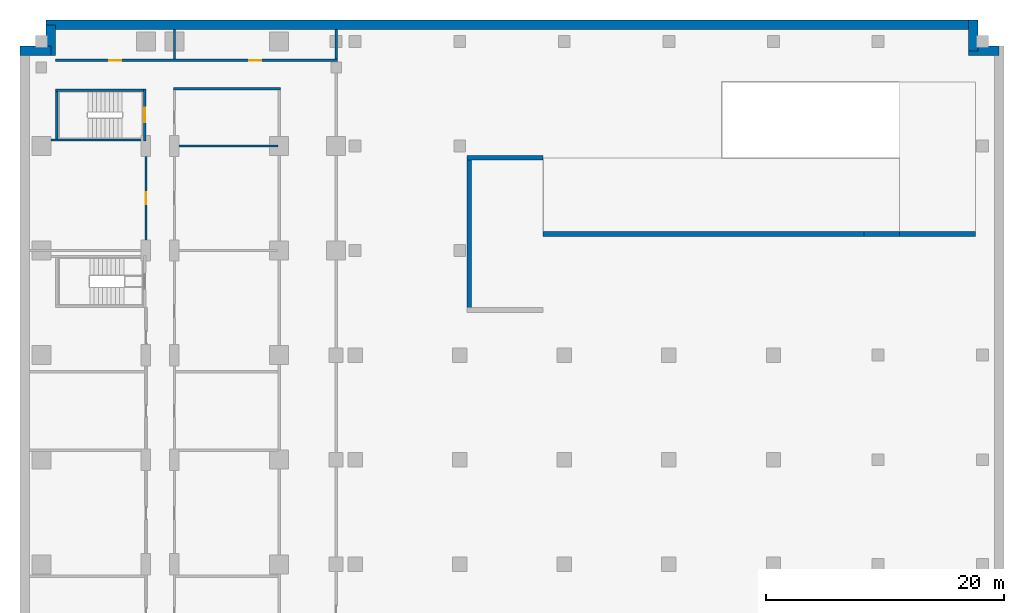
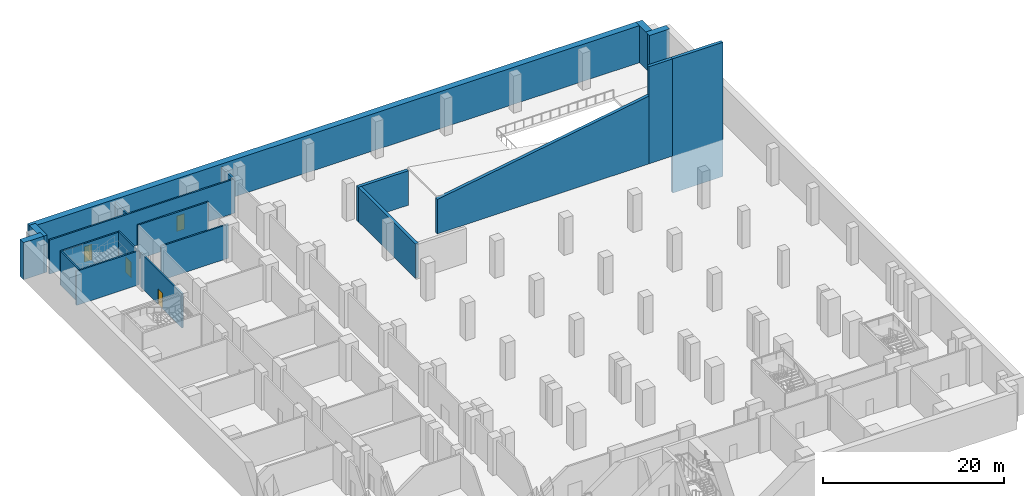
# One storey, part 7 of 12: 20 walls, 4 doors, 4 openings.
"""IFC4 building model written with IfcOpenShell, lengths in metres."""

from ifc_helpers import new_model, si_unit, direction, frame, frame_2d, origin, place, context, subcontext, project, spatial, polyline, rectangle, outline, extrude, material, layer, layer_set, type_object, element, fill, save


model = new_model("IFC4")

# Units and contexts
model_context = context("Model", 3, precision=1e-05, world=origin(), true_north=direction((0.0, 1.0)))
body_context = subcontext(model_context, "Body", "Model", "MODEL_VIEW")
ifc_project = project(units=[si_unit("LENGTHUNIT", "METRE"), si_unit("AREAUNIT", "SQUARE_METRE"), si_unit("VOLUMEUNIT", "CUBIC_METRE"), si_unit("PLANEANGLEUNIT", "RADIAN"), si_unit("MASSUNIT", "GRAM", prefix="KILO")], contexts=[model_context])

# Site, building, storey
site_placement = place(None, origin())
site = spatial("IfcSite", under=ifc_project, at=site_placement, CompositionType="ELEMENT")
building_placement = place(site_placement, origin())
building = spatial("IfcBuilding", under=site, at=building_placement, Name="Kemantara Hotel Tower", CompositionType="ELEMENT")
storey_placement = place(building_placement, frame((0.0, 0.0, -12.0)))
storey = spatial("IfcBuildingStorey", under=building, at=storey_placement, Name="B2", CompositionType="ELEMENT", Elevation=-12.0)

# Walls
ifc_material_1 = material(Name="Concrete fc 40 MPa", Category="concrete")
ifc_layer_1 = layer(ifc_material_1, 0.800048828125)
ifc_layer_set_1 = layer_set([ifc_layer_1], Name="Concrete fc 40 MPa")
wall_type_1 = type_object("IfcWallType", Name="BASEMENT PERIMETER WALL 800 FC40", PredefinedType="SHEAR", material=ifc_layer_set_1)
for number, where, z_axis, x_axis, name in (
    (1, (-0.800048828125, 79.39990234375, 0.0), (0.0, 0.0, 1.0), (1.0, 0.0, 0.0), "BASEMENT PERIMETER WALL B2 8"),
    (2, (1.800048828125, 79.0, 0.0), (0.0, 0.0, 1.0), (0.0, 1.0, 0.0), "BASEMENT PERIMETER WALL B2 9"),
):
    element("IfcWall", number, at=place(storey_placement, frame(where, z_axis=z_axis, x_axis=x_axis)), inside=storey, type_object=wall_type_1, Name=name, PredefinedType="SHEAR", context=body_context, shape_type="SweptSolid", body=[
        extrude(rectangle(XDim=2.60009765625, YDim=0.800048828125, at=frame_2d((1.300048828125, 0.0))), origin(), (0.0, 0.0, 1.0), 5.0),
    ])
wall_1_placement = place(storey_placement, frame((1.39990234375, 81.60009765625, 0.0), z_axis=(0.0, 0.0, 1.0), x_axis=(1.0, 0.0, 0.0)))
element("IfcWall", 3, at=wall_1_placement, inside=storey, type_object=wall_type_1, Name="BASEMENT PERIMETER WALL B2 10", PredefinedType="SHEAR", context=body_context, shape_type="SweptSolid", body=[
    extrude(rectangle(XDim=78.0, YDim=0.800048828125, at=frame_2d((39.0, 0.0))), origin(), (0.0, 0.0, 1.0), 5.0),
])
for number, where, z_axis, x_axis, name in (
    (4, (79.39990234375, 82.0, 0.0), (0.0, 0.0, 1.0), (0.0, -1.0, 0.0), "BASEMENT PERIMETER WALL B2 11"),
    (5, (79.0, 79.39990234375, 0.0), (0.0, 0.0, 1.0), (1.0, 0.0, 0.0), "BASEMENT PERIMETER WALL B2 12"),
):
    element("IfcWall", number, at=place(storey_placement, frame(where, z_axis=z_axis, x_axis=x_axis)), inside=storey, type_object=wall_type_1, Name=name, PredefinedType="SHEAR", context=body_context, shape_type="SweptSolid", body=[
        extrude(rectangle(XDim=2.60009765625, YDim=0.800048828125, at=frame_2d((1.300048828125, 0.0))), origin(), (0.0, 0.0, 1.0), 5.0),
    ])

# Wall, opening, door
ifc_layer_2 = layer(ifc_material_1, 0.199951171875)
ifc_layer_set_2 = layer_set([ifc_layer_2], Name="Concrete fc 40 MPa")
wall_type_2 = type_object("IfcWallType", Name="Concrete stair wall 200 mm", PredefinedType="SHEAR", material=ifc_layer_set_2)
wall_2_placement = place(storey_placement, frame((9.699951171875, 71.800048828125, 0.0), z_axis=(0.0, 0.0, 1.0), x_axis=(0.0, 1.0, 0.0)))
wall_2 = element("IfcWall", 6, at=wall_2_placement, inside=storey, type_object=wall_type_2, Name="Stair ST6 enclosure wall with door", PredefinedType="SHEAR", context=body_context, shape_type="SweptSolid", body=[
    extrude(rectangle(XDim=4.39990234375, YDim=0.199951171875, at=frame_2d((2.199951171875, 0.0))), origin(), (0.0, 0.0, 1.0), 4.597900390625),
])
opening_1_placement = place(wall_2_placement, frame((1.60009765625, 0.0, 0.0)))
opening_1 = element("IfcOpeningElement", 7, at=opening_1_placement, cuts=wall_2, Name="Opening ST6-C", PredefinedType="OPENING", context=body_context, shape_type="SweptSolid", body=[
    extrude(rectangle(XDim=1.199951171875, YDim=2.10009765625, at=frame_2d((0.60009765625, 1.050048828125))), frame((0.0, 0.10986328125, 0.0), z_axis=(0.0, -1.0, 0.0), x_axis=(1.0, 0.0, 0.0)), (0.0, 0.0, 1.0), 0.219970703125),
])
ifc_material_2 = material(Name="Steel fire door", Category="steel")
door_type_1 = type_object("IfcDoorType", Name="Fire door FD90 1200 x 2100", OperationType="NOTDEFINED", PredefinedType="DOOR", material=ifc_material_2)
door_1_placement = place(opening_1_placement, origin())
door_1 = element("IfcDoor", 8, at=door_1_placement, inside=storey, type_object=door_type_1, Name="Stair ST6 door", OperationType="SINGLE_SWING_RIGHT", OverallHeight=2.10009765625, OverallWidth=1.199951171875, PredefinedType="DOOR", context=body_context, shape_type="SweptSolid", body=[
    extrude(rectangle(XDim=1.199951171875, YDim=2.10009765625, at=frame_2d((0.60009765625, 1.050048828125))), frame((0.0, 0.02490234375, 0.0), z_axis=(0.0, -1.0, 0.0), x_axis=(1.0, 0.0, 0.0)), (0.0, 0.0, 1.0), 0.050048828125),
])
fill(opening_1, door_1)

# Walls
wall_3_placement = place(storey_placement, frame((2.199951171875, 76.10009765625, 0.0), z_axis=(0.0, 0.0, 1.0), x_axis=(1.0, 0.0, 0.0)))
element("IfcWall", 9, at=wall_3_placement, inside=storey, type_object=wall_type_2, Name="Stair ST6 enclosure wall N", PredefinedType="SHEAR", context=body_context, shape_type="SweptSolid", body=[
    extrude(rectangle(XDim=7.400146484375, YDim=0.199951171875, at=frame_2d((3.7001953125, 0.0))), origin(), (0.0, 0.0, 1.0), 4.597900390625),
])
wall_4_placement = place(storey_placement, frame((1.800048828125, 71.89990234375, 0.0), z_axis=(0.0, 0.0, 1.0), x_axis=(1.0, 0.0, 0.0)))
element("IfcWall", 10, at=wall_4_placement, inside=storey, type_object=wall_type_2, Name="Stair ST6 enclosure wall S", PredefinedType="SHEAR", context=body_context, shape_type="SweptSolid", body=[
    extrude(rectangle(XDim=7.800048828125, YDim=0.199951171875, at=frame_2d((3.89990234375, 0.0))), origin(), (0.0, 0.0, 1.0), 4.597900390625),
])
wall_5_placement = place(storey_placement, frame((2.300048828125, 72.0, 0.0), z_axis=(0.0, 0.0, 1.0), x_axis=(0.0, 1.0, 0.0)))
element("IfcWall", 11, at=wall_5_placement, inside=storey, type_object=wall_type_2, Name="Stair ST6 enclosure wall W", PredefinedType="SHEAR", context=body_context, shape_type="SweptSolid", body=[
    extrude(rectangle(XDim=4.0, YDim=0.199951171875, at=frame_2d((2.0, 0.0))), origin(), (0.0, 0.0, 1.0), 4.597900390625),
])
ifc_material_3 = material(Name="Fire-rated gypsum board partition")
ifc_layer_3 = layer(ifc_material_3, 0.199951171875)
ifc_layer_set_3 = layer_set([ifc_layer_3], Name="Fire-rated gypsum board partition")
wall_type_3 = type_object("IfcWallType", Name="FIRE-RATED GYPSUM PARTITION 200 EI 60", PredefinedType="PARTITIONING", material=ifc_layer_set_3)
wall_6_placement = place(storey_placement, frame((12.10009765625, 76.199951171875, 0.0), z_axis=(0.0, 0.0, 1.0), x_axis=(1.0, 0.0, 0.0)))
element("IfcWall", 12, at=wall_6_placement, inside=storey, type_object=wall_type_3, Name="FIRE-RATED PARTITION", PredefinedType="PARTITIONING", context=body_context, shape_type="SweptSolid", body=[
    extrude(rectangle(XDim=9.0, YDim=0.199951171875, at=frame_2d((4.5, 0.0))), origin(), (0.0, 0.0, 1.0), 4.597900390625),
])

# Wall, openings, doors
wall_7_placement = place(storey_placement, frame((2.199951171875, 78.60009765625, 0.0), z_axis=(0.0, 0.0, 1.0), x_axis=(1.0, 0.0, 0.0)))
wall_7 = element("IfcWall", 13, at=wall_7_placement, inside=storey, type_object=wall_type_3, Name="FIRE-RATED PARTITION", PredefinedType="PARTITIONING", context=body_context, shape_type="SweptSolid", body=[
    extrude(rectangle(XDim=23.699951171875, YDim=0.199951171875, at=frame_2d((11.85009765625, 0.0))), origin(), (0.0, 0.0, 1.0), 4.597900390625),
])
opening_2_placement = place(wall_7_placement, frame((4.5, 0.0, 0.0)))
opening_2 = element("IfcOpeningElement", 14, at=opening_2_placement, cuts=wall_7, Name="Opening B2-B021", PredefinedType="OPENING", context=body_context, shape_type="SweptSolid", body=[
    extrude(rectangle(XDim=1.0, YDim=2.10009765625, at=frame_2d((0.5, 1.050048828125))), frame((0.0, 0.10986328125, 0.0), z_axis=(0.0, -1.0, 0.0), x_axis=(1.0, 0.0, 0.0)), (0.0, 0.0, 1.0), 0.219970703125),
])
opening_3_placement = place(wall_7_placement, frame((16.300048828125, 0.0, 0.0)))
opening_3 = element("IfcOpeningElement", 15, at=opening_3_placement, cuts=wall_7, Name="Opening B2-B022", PredefinedType="OPENING", context=body_context, shape_type="SweptSolid", body=[
    extrude(rectangle(XDim=1.0, YDim=2.10009765625, at=frame_2d((0.5, 1.050048828125))), frame((0.0, 0.10986328125, 0.0), z_axis=(0.0, -1.0, 0.0), x_axis=(1.0, 0.0, 0.0)), (0.0, 0.0, 1.0), 0.219970703125),
])
ifc_material_4 = material(Name="Timber veneer door leaf", Category="wood")
door_type_2 = type_object("IfcDoorType", Name="SINGLE LEAF TIMBER DOOR 1000 X 2100", OperationType="SINGLE_SWING_LEFT", PredefinedType="DOOR", material=ifc_material_4)
door_2_placement = place(opening_2_placement, frame((1.0, 0.0, 0.0), z_axis=(0.0, 0.0, 1.0), x_axis=(-1.0, 0.0, 0.0)))
door_2 = element("IfcDoor", 16, at=door_2_placement, inside=storey, type_object=door_type_2, Name="SINGLE LEAF TIMBER DOOR", OperationType="SINGLE_SWING_RIGHT", OverallHeight=2.10009765625, OverallWidth=1.0, PredefinedType="DOOR", context=body_context, shape_type="SweptSolid", body=[
    extrude(rectangle(XDim=1.0, YDim=2.10009765625, at=frame_2d((0.5, 1.050048828125))), frame((0.0, 0.02490234375, 0.0), z_axis=(0.0, -1.0, 0.0), x_axis=(1.0, 0.0, 0.0)), (0.0, 0.0, 1.0), 0.050048828125),
])
fill(opening_2, door_2)
door_3_placement = place(opening_3_placement, frame((1.0, 0.0, 0.0), z_axis=(0.0, 0.0, 1.0), x_axis=(-1.0, 0.0, 0.0)))
door_3 = element("IfcDoor", 17, at=door_3_placement, inside=storey, type_object=door_type_2, Name="SINGLE LEAF TIMBER DOOR", OperationType="SINGLE_SWING_LEFT", OverallHeight=2.10009765625, OverallWidth=1.0, PredefinedType="DOOR", context=body_context, shape_type="SweptSolid", body=[
    extrude(rectangle(XDim=1.0, YDim=2.10009765625, at=frame_2d((0.5, 1.050048828125))), frame((0.0, 0.02490234375, 0.0), z_axis=(0.0, -1.0, 0.0), x_axis=(1.0, 0.0, 0.0)), (0.0, 0.0, 1.0), 0.050048828125),
])
fill(opening_3, door_3)

# Wall, opening, door
wall_8_placement = place(storey_placement, frame((9.800048828125, 62.199951171875, 0.0), z_axis=(0.0, 0.0, 1.0), x_axis=(0.0, 1.0, 0.0)))
wall_8 = element("IfcWall", 18, at=wall_8_placement, inside=storey, type_object=wall_type_3, Name="FIRE-RATED PARTITION", PredefinedType="PARTITIONING", context=body_context, shape_type="SweptSolid", body=[
    extrude(rectangle(XDim=9.199951171875, YDim=0.199951171875, at=frame_2d((4.60009765625, 0.0))), origin(), (0.0, 0.0, 1.0), 4.597900390625),
])
opening_4_placement = place(wall_8_placement, frame((4.300048828125, 0.0, 0.0)))
opening_4 = element("IfcOpeningElement", 19, at=opening_4_placement, cuts=wall_8, Name="Opening B2-B008", PredefinedType="OPENING", context=body_context, shape_type="SweptSolid", body=[
    extrude(rectangle(XDim=1.0, YDim=2.10009765625, at=frame_2d((0.5, 1.050048828125))), frame((0.0, 0.10986328125, 0.0), z_axis=(0.0, -1.0, 0.0), x_axis=(1.0, 0.0, 0.0)), (0.0, 0.0, 1.0), 0.219970703125),
])
door_4_placement = place(opening_4_placement, frame((1.0, 0.0, 0.0), z_axis=(0.0, 0.0, 1.0), x_axis=(-1.0, 0.0, 0.0)))
door_4 = element("IfcDoor", 20, at=door_4_placement, inside=storey, type_object=door_type_2, Name="SINGLE LEAF TIMBER DOOR", OperationType="SINGLE_SWING_LEFT", OverallHeight=2.10009765625, OverallWidth=1.0, PredefinedType="DOOR", context=body_context, shape_type="SweptSolid", body=[
    extrude(rectangle(XDim=1.0, YDim=2.10009765625, at=frame_2d((0.5, 1.050048828125))), frame((0.0, 0.02490234375, 0.0), z_axis=(0.0, -1.0, 0.0), x_axis=(1.0, 0.0, 0.0)), (0.0, 0.0, 1.0), 0.050048828125),
])
fill(opening_4, door_4)

# Walls
ifc_material_5 = material(Name="Gypsum board partition")
ifc_layer_4 = layer(ifc_material_5, 0.199951171875)
ifc_layer_set_4 = layer_set([ifc_layer_4], Name="Gypsum board partition")
wall_type_4 = type_object("IfcWallType", Name="GYPSUM BOARD PARTITION 200", PredefinedType="PARTITIONING", material=ifc_layer_set_4)
wall_9_placement = place(storey_placement, frame((12.300048828125, 71.39990234375, 0.0), z_axis=(0.0, 0.0, 1.0), x_axis=(1.0, 0.0, 0.0)))
element("IfcWall", 21, at=wall_9_placement, inside=storey, type_object=wall_type_4, Name="PARTITION", PredefinedType="PARTITIONING", context=body_context, shape_type="SweptSolid", body=[
    extrude(rectangle(XDim=8.599853515625, YDim=0.199951171875, at=frame_2d((4.2998046875, 0.0))), origin(), (0.0, 0.0, 1.0), 4.597900390625),
])
for number, where, z_axis, x_axis, name in (
    (22, (12.199951171875, 78.699951171875, 0.0), (0.0, 0.0, 1.0), (0.0, 1.0, 0.0), "PARTITION"),
    (23, (25.800048828125, 78.699951171875, 0.0), (0.0, 0.0, 1.0), (0.0, 1.0, 0.0), "PARTITION"),
):
    element("IfcWall", number, at=place(storey_placement, frame(where, z_axis=z_axis, x_axis=x_axis)), inside=storey, type_object=wall_type_4, Name=name, PredefinedType="PARTITIONING", context=body_context, shape_type="SweptSolid", body=[
        extrude(rectangle(XDim=2.5, YDim=0.199951171875, at=frame_2d((1.25, 0.0))), origin(), (0.0, 0.0, 1.0), 4.597900390625),
    ])
ifc_layer_5 = layer(ifc_material_1, 0.39990234375)
ifc_layer_set_5 = layer_set([ifc_layer_5], Name="Concrete fc 40 MPa")
wall_type_5 = type_object("IfcWallType", Name="RAMP WALL 400 FC40", PredefinedType="SHEAR", material=ifc_layer_set_5)
wall_10_placement = place(storey_placement, frame((43.199951171875, 64.0, 0.0), z_axis=(0.0, 0.0, 1.0), x_axis=(1.0, 0.0, 0.0)))
element("IfcWall", 24, at=wall_10_placement, inside=storey, type_object=wall_type_5, Name="RAMP DIVIDER WALL R1 R2", PredefinedType="SHEAR", context=body_context, shape_type="SweptSolid", body=[
    extrude(outline(polyline([(0.0, 0.0), (27.0, 0.0), (27.0, 9.14990234375), (24.300048828125, 8.699951171875), (21.60009765625, 8.25), (18.89990234375, 7.800048828125), (16.199951171875, 7.35009765625), (13.5, 6.89990234375), (10.800048828125, 6.449951171875), (8.10009765625, 6.0), (5.39990234375, 5.550048828125), (2.699951171875, 5.10009765625), (0.0, 4.64990234375), (0.0, 0.0)])), frame((0.0, 0.199951171875, 0.0), z_axis=(0.0, -1.0, 0.0), x_axis=(1.0, 0.0, 0.0)), (0.0, 0.0, 1.0), 0.39990234375),
])
wall_11_placement = place(storey_placement, frame((70.199951171875, 64.0, 0.0), z_axis=(0.0, 0.0, 1.0), x_axis=(1.0, 0.0, 0.0)))
element("IfcWall", 25, at=wall_11_placement, inside=storey, type_object=wall_type_5, Name="RAMP RETAINING WALL R1 R2 OPEN PART", PredefinedType="SHEAR", context=body_context, shape_type="SweptSolid", body=[
    extrude(outline(polyline([(0.0, 0.0), (3.0, 0.0), (3.0, 13.10009765625), (1.5, 13.10009765625), (0.0, 13.10009765625), (0.0, 0.0)])), frame((0.0, 0.199951171875, 0.0), z_axis=(0.0, -1.0, 0.0), x_axis=(1.0, 0.0, 0.0)), (0.0, 0.0, 1.0), 0.39990234375),
])
wall_12_placement = place(storey_placement, frame((73.199951171875, 64.0, -5.0), z_axis=(0.0, 0.0, 1.0), x_axis=(1.0, 0.0, 0.0)))
element("IfcWall", 26, at=wall_12_placement, inside=storey, type_object=wall_type_5, Name="RAMP RETAINING WALL R1 NORTH AT THE B2 LANDING", PredefinedType="SHEAR", context=body_context, shape_type="SweptSolid", body=[
    extrude(outline(polyline([(0.0, 0.0), (6.400146484375, 0.0), (6.39990234375, 18.10009765625), (4.2666015625, 18.10009765625), (2.13330078125, 18.10009765625), (0.0, 18.10009765625), (0.0, 0.0)])), frame((0.0, 0.199951171875, 0.0), z_axis=(0.0, -1.0, 0.0), x_axis=(1.0, 0.0, 0.0)), (0.0, 0.0, 1.0), 0.39990234375),
])
wall_13_placement = place(storey_placement, frame((37.0, 57.60009765625, 0.0), z_axis=(0.0, 0.0, 1.0), x_axis=(0.0, 1.0, 0.0)))
element("IfcWall", 27, at=wall_13_placement, inside=storey, type_object=wall_type_5, Name="LANDING SUPPORT WALL B1 WEST", PredefinedType="SHEAR", context=body_context, shape_type="SweptSolid", body=[
    extrude(outline(polyline([(0.0, 0.0), (12.7998046875, 0.0), (12.800048828125, 4.64990234375), (10.239990234375, 4.64990234375), (7.679931640625, 4.64990234375), (5.1201171875, 4.64990234375), (2.56005859375, 4.64990234375), (0.0, 4.64990234375), (0.0, 0.0)])), frame((0.0, 0.199951171875, 0.0), z_axis=(0.0, -1.0, 0.0), x_axis=(1.0, 0.0, 0.0)), (0.0, 0.0, 1.0), 0.39990234375),
])
wall_14_placement = place(storey_placement, frame((36.800048828125, 70.39990234375, 0.0), z_axis=(0.0, 0.0, 1.0), x_axis=(1.0, 0.0, 0.0)))
element("IfcWall", 28, at=wall_14_placement, inside=storey, type_object=wall_type_5, Name="LANDING SUPPORT WALL B1 NORTH", PredefinedType="SHEAR", context=body_context, shape_type="SweptSolid", body=[
    extrude(outline(polyline([(0.0, 0.0), (6.39990234375, 0.0), (6.39990234375, 4.64990234375), (4.2666015625, 4.64990234375), (2.13330078125, 4.64990234375), (0.0, 4.64990234375), (0.0, 0.0)])), frame((0.0, 0.199951171875, 0.0), z_axis=(0.0, -1.0, 0.0), x_axis=(1.0, 0.0, 0.0)), (0.0, 0.0, 1.0), 0.39990234375),
])

save(model, "model.ifc")
